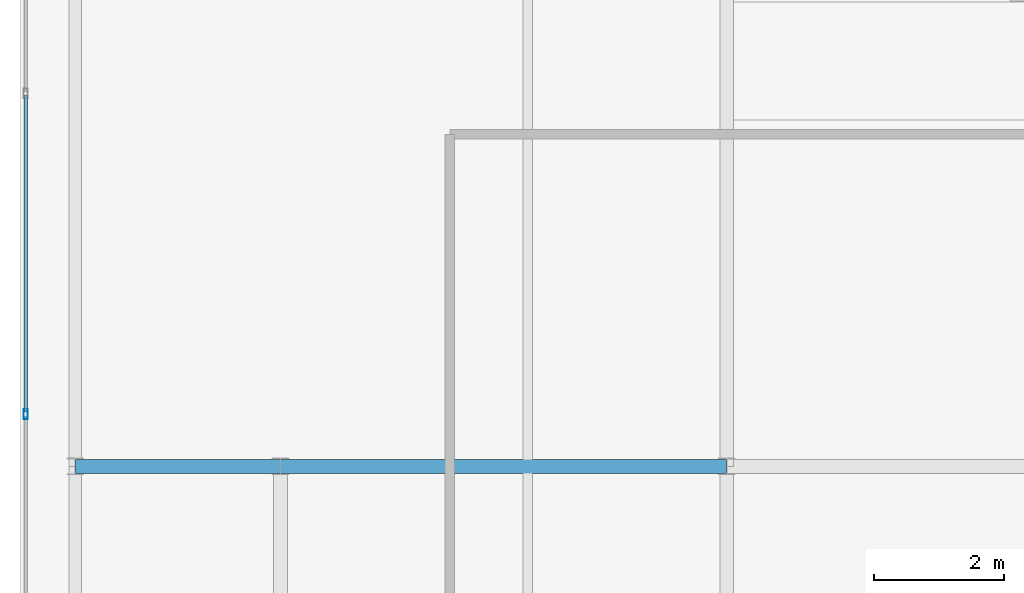
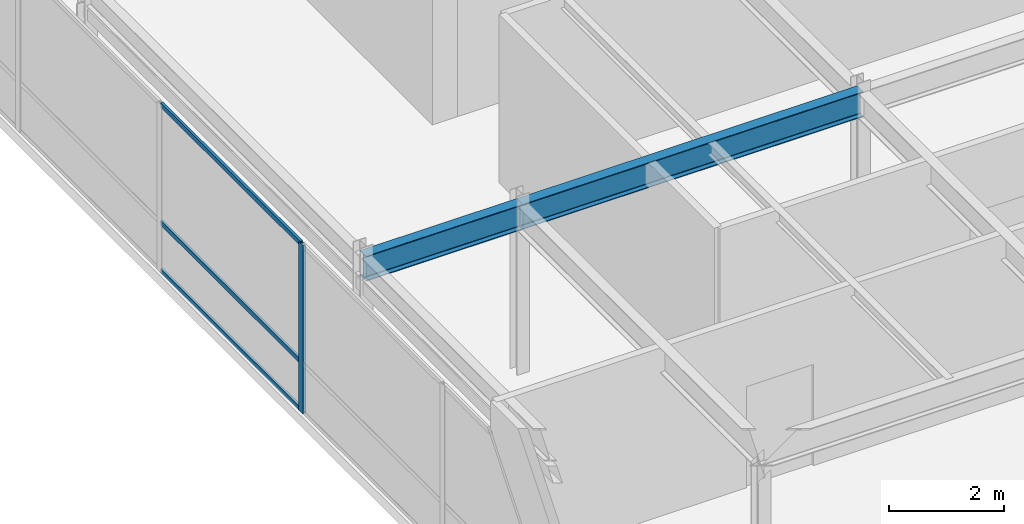
# One storey, part 16 of 36: 4 members, 2 beams, 1 element without a shape of its own.
"""IFC4 building model written with IfcOpenShell, lengths in metres."""

from ifc_helpers import new_model, si_unit, direction, frame, origin, origin_2d, place, context, subcontext, project, spatial, hollow_rectangle, i_section, extrude, source, transform, mapped, material, layer, layer_set, material_profile, profile_set, type_object, type_shapes, element, aggregate, save


model = new_model("IFC4")

# Units and contexts
model_context = context("Model", 3, precision=1e-05, world=origin(), true_north=direction((0.0, 1.0)))
body_context = subcontext(model_context, "Body", "Model", "MODEL_VIEW")
ifc_project = project(units=[si_unit("LENGTHUNIT", "METRE"), si_unit("AREAUNIT", "SQUARE_METRE"), si_unit("VOLUMEUNIT", "CUBIC_METRE"), si_unit("PLANEANGLEUNIT", "RADIAN"), si_unit("MASSUNIT", "GRAM", prefix="KILO")], contexts=[model_context])

# Site, building, storey
site_placement = place(None, origin())
site = spatial("IfcSite", under=ifc_project, at=site_placement, CompositionType="ELEMENT")
building_placement = place(site_placement, origin())
building = spatial("IfcBuilding", under=site, at=building_placement, Name="Tolvann Quenvar Hotel", CompositionType="ELEMENT")
storey_placement = place(building_placement, frame((0.0, 0.0, 302.35009765625)))
storey = spatial("IfcBuildingStorey", under=building, at=storey_placement, Name="L80", CompositionType="ELEMENT", Elevation=302.35009765625)

# Beams
ifc_material_1 = material(Name="Steel Grade 350", Category="steel")
ifc_material_profile_1 = material_profile(ifc_material_1, i_section(OverallWidth=0.208984375, OverallDepth=0.532958984375, WebThickness=0.01025390625, FlangeThickness=0.015625, FilletRadius=0.013916015625, at=origin_2d()), Name="530UB92")
ifc_profile_set_1 = profile_set([ifc_material_profile_1], Name="Steel Grade 350")
beam_type = type_object("IfcBeamType", Name="BM_GIRD_530UB92", PredefinedType="BEAM", material=ifc_profile_set_1)
shared_shape_1 = source(origin(), body_context, "Body", "SweptSolid", [
    extrude(i_section(OverallWidth=0.208984375, OverallDepth=0.532958984375, WebThickness=0.01025390625, FlangeThickness=0.015625, FilletRadius=0.013916015625, at=origin_2d()), origin(), (0.0, 0.0, 1.0), 6.849853515625),
])
beam_1_placement = place(storey_placement, frame((7.60009765625, 24.39990234375, 3.3134765625), z_axis=(1.0, 0.0, 0.0), x_axis=(0.0, 1.0, 0.0)))
element("IfcBeam", 1, at=beam_1_placement, inside=storey, type_object=beam_type, Name="BM-L80-EW-5-C5-D5", PredefinedType="BEAM", context=body_context, shape_type="MappedRepresentation", body=[
    mapped(shared_shape_1, transform((0.0, 0.0, 0.0), x_axis=(1.0, 0.0, 0.0), y_axis=(0.0, 1.0, 0.0), z_axis=(0.0, 0.0, 1.0), scale=1.0)),
])
shared_shape_2 = source(origin(), body_context, "Body", "SweptSolid", [
    extrude(i_section(OverallWidth=0.208984375, OverallDepth=0.532958984375, WebThickness=0.01025390625, FlangeThickness=0.015625, FilletRadius=0.013916015625, at=origin_2d()), origin(), (0.0, 0.0, 1.0), 3.150146484375),
])
type_shapes(beam_type, [shared_shape_1, shared_shape_2])
beam_2_placement = place(storey_placement, frame((4.449951171875, 24.39990234375, 3.3134765625), z_axis=(1.0, 0.0, 0.0), x_axis=(0.0, 1.0, 0.0)))
element("IfcBeam", 2, at=beam_2_placement, inside=storey, type_object=beam_type, Name="BM-L80-EW-5-B5-C5", PredefinedType="BEAM", context=body_context, shape_type="MappedRepresentation", body=[
    mapped(shared_shape_2, transform((0.0, 0.0, 0.0), x_axis=(1.0, 0.0, 0.0), y_axis=(0.0, 1.0, 0.0), z_axis=(0.0, 0.0, 1.0), scale=1.0)),
])

# Curtain wall, members
ifc_material_2 = material(Name="Thermally broken anodised architectural aluminium 6063-T6 and laminated low-E glass", Category="aluminium")
ifc_layer = layer(ifc_material_2, 0.179931640625)
ifc_layer_set = layer_set([ifc_layer], Name="Thermally broken anodised architectural aluminium 6063-T6 and laminated low-E glass")
curtain_wall_type = type_object("IfcCurtainWallType", Name="CW_SYS_LANT_06", PredefinedType="USERDEFINED", material=ifc_layer_set)
curtain_wall_placement = place(storey_placement, origin())
curtain_wall = element("IfcCurtainWall", 3, at=curtain_wall_placement, inside=storey, type_object=curtain_wall_type, Name="Curtain Wall CW-LANT-06 (CWR-L80-E19)", ObjectType="UNITISED CURTAIN WALL", PredefinedType="USERDEFINED")
ifc_material_3 = material(Name="Anodised architectural aluminium 6063-T6 framing", Category="aluminium")
ifc_material_profile_2 = material_profile(ifc_material_3, hollow_rectangle(XDim=0.050048828125, YDim=0.10009765625, WallThickness=0.0029296875, at=origin_2d()), Name="100x50x3RHS")
ifc_profile_set_2 = profile_set([ifc_material_profile_2], Name="Anodised architectural aluminium 6063-T6 framing")
member_type_1 = type_object("IfcMemberType", Name="CW_TRAN_100x50", PredefinedType="USERDEFINED", material=ifc_profile_set_2)
shared_shape_3 = source(origin(), body_context, "Body", "SweptSolid", [
    extrude(hollow_rectangle(XDim=0.050048828125, YDim=0.10009765625, WallThickness=0.0029296875, at=origin_2d()), origin(), (0.0, 0.0, 1.0), 4.86279296875),
])
type_shapes(member_type_1, [shared_shape_3])
member_1_placement = place(storey_placement, frame((3.68994140625, 30.09521484375, 0.02490234375), z_axis=(0.0, -1.0, 0.0), x_axis=(1.0, 0.0, 0.0)))
member_1 = element("IfcMember", 4, at=member_1_placement, type_object=member_type_1, Name="CW-LANT-06 transom 3.1", ObjectType="TRANSOM", PredefinedType="USERDEFINED", context=body_context, shape_type="MappedRepresentation", body=[
    mapped(shared_shape_3, transform((0.0, 0.0, 0.0), x_axis=(1.0, 0.0, 0.0), y_axis=(0.0, 1.0, 0.0), z_axis=(0.0, 0.0, 1.0), scale=1.0)),
])
member_2_placement = place(storey_placement, frame((3.68994140625, 30.09521484375, 1.0498046875), z_axis=(0.0, -1.0, 0.0), x_axis=(1.0, 0.0, 0.0)))
member_2 = element("IfcMember", 5, at=member_2_placement, type_object=member_type_1, Name="CW-LANT-06 transom 3.2", ObjectType="TRANSOM", PredefinedType="USERDEFINED", context=body_context, shape_type="MappedRepresentation", body=[
    mapped(shared_shape_3, transform((0.0, 0.0, 0.0), x_axis=(1.0, 0.0, 0.0), y_axis=(0.0, 1.0, 0.0), z_axis=(0.0, 0.0, 1.0), scale=1.0)),
])
member_3_placement = place(storey_placement, frame((3.68994140625, 30.09521484375, 3.554931640625), z_axis=(0.0, -1.0, 0.0), x_axis=(1.0, 0.0, 0.0)))
member_3 = element("IfcMember", 6, at=member_3_placement, type_object=member_type_1, Name="CW-LANT-06 transom 3.3", ObjectType="TRANSOM", PredefinedType="USERDEFINED", context=body_context, shape_type="MappedRepresentation", body=[
    mapped(shared_shape_3, transform((0.0, 0.0, 0.0), x_axis=(1.0, 0.0, 0.0), y_axis=(0.0, 1.0, 0.0), z_axis=(0.0, 0.0, 1.0), scale=1.0)),
])
ifc_material_profile_3 = material_profile(ifc_material_3, hollow_rectangle(XDim=0.06494140625, YDim=0.14990234375, WallThickness=0.00390625, at=origin_2d()), Name="150x65x4RHS")
ifc_profile_set_3 = profile_set([ifc_material_profile_3], Name="Anodised architectural aluminium 6063-T6 framing")
member_type_2 = type_object("IfcMemberType", Name="CW_MULL_150x65", PredefinedType="MULLION", material=ifc_profile_set_3)
shared_shape_4 = source(origin(), body_context, "Body", "SweptSolid", [
    extrude(hollow_rectangle(XDim=0.06494140625, YDim=0.14990234375, WallThickness=0.00390625, at=origin_2d()), origin(), (0.0, 0.0, 1.0), 3.579833984375),
])
type_shapes(member_type_2, [shared_shape_4])
member_4_placement = place(storey_placement, frame((3.68994140625, 25.199951171875, 0.0), z_axis=(0.0, 0.0, 1.0), x_axis=(1.0, 0.0, 0.0)))
member_4 = element("IfcMember", 7, at=member_4_placement, type_object=member_type_2, Name="CW-LANT-06 mullion 4", PredefinedType="MULLION", context=body_context, shape_type="MappedRepresentation", body=[
    mapped(shared_shape_4, transform((0.0, 0.0, 0.0), x_axis=(1.0, 0.0, 0.0), y_axis=(0.0, 1.0, 0.0), z_axis=(0.0, 0.0, 1.0), scale=1.0)),
])
aggregate(curtain_wall, [member_4, member_1, member_2, member_3])

save(model, "model.ifc")
